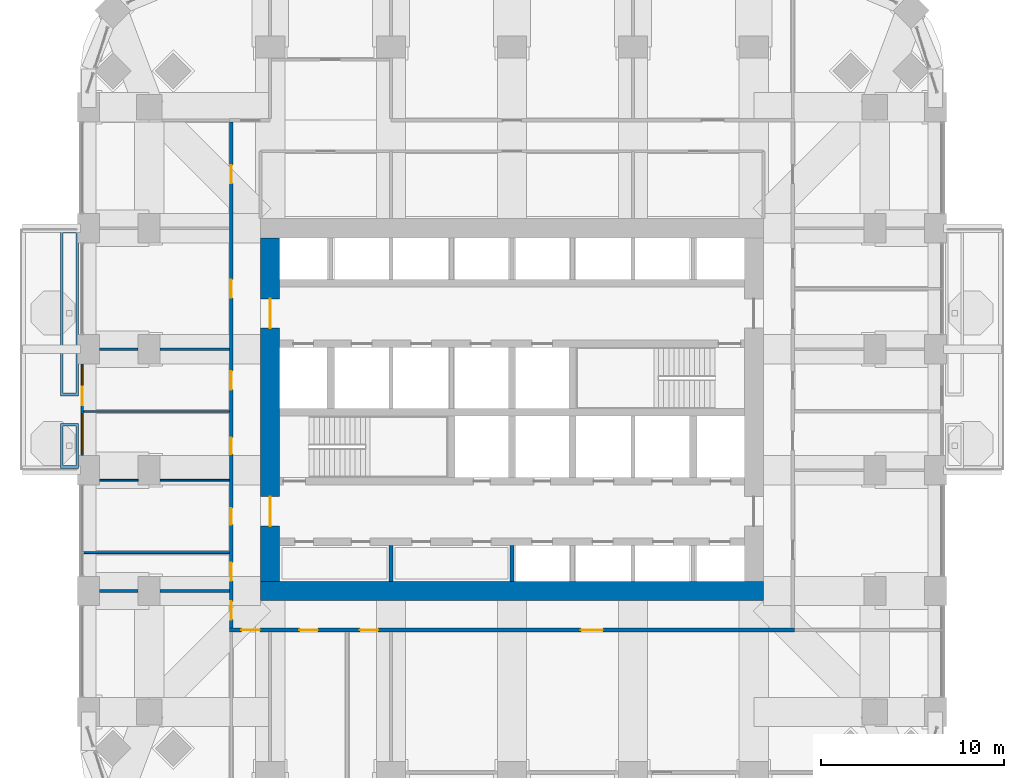
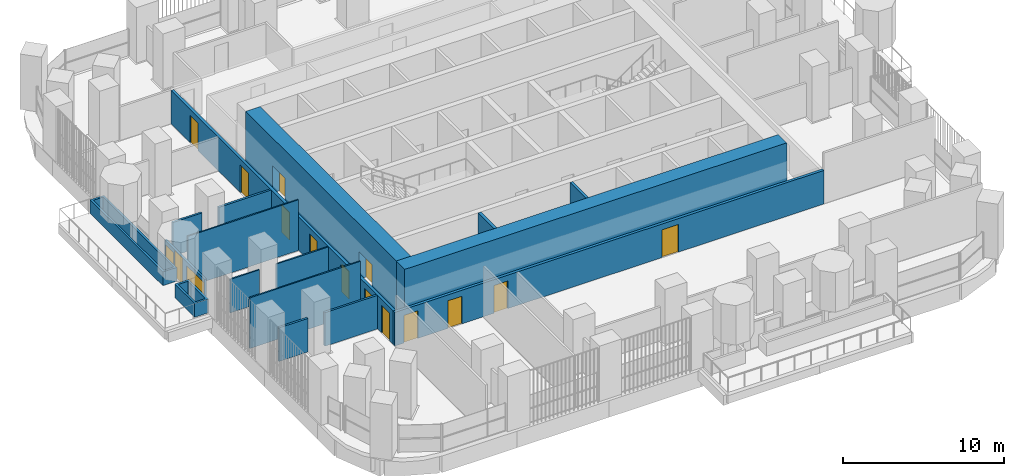
# One storey, part 14 of 22: 17 walls, 14 doors, 2 windows, 16 openings.
"""IFC4 building model written with IfcOpenShell, lengths in metres."""

from ifc_helpers import new_model, si_unit, direction, frame, frame_2d, origin, place, context, subcontext, project, spatial, polyline, rectangle, outline, extrude, material, layer, layer_set, type_object, element, fill, save


model = new_model("IFC4")

# Units and contexts
model_context = context("Model", 3, precision=1e-05, world=origin(), true_north=direction((0.0, 1.0)))
body_context = subcontext(model_context, "Body", "Model", "MODEL_VIEW")
ifc_project = project(units=[si_unit("LENGTHUNIT", "METRE"), si_unit("AREAUNIT", "SQUARE_METRE"), si_unit("VOLUMEUNIT", "CUBIC_METRE"), si_unit("PLANEANGLEUNIT", "RADIAN"), si_unit("MASSUNIT", "GRAM", prefix="KILO")], contexts=[model_context])

# Site, building, storey
site_placement = place(None, origin())
site = spatial("IfcSite", under=ifc_project, at=site_placement, CompositionType="ELEMENT")
building_placement = place(site_placement, origin())
building = spatial("IfcBuilding", under=site, at=building_placement, Name="Cobogo Forest Laboratory Tower", CompositionType="ELEMENT")
storey_placement = place(building_placement, frame((0.0, 0.0, 145.199951171875)))
storey = spatial("IfcBuildingStorey", under=building, at=storey_placement, Name="L33", CompositionType="ELEMENT", Elevation=145.199951171875)

# Wall
ifc_material_1 = material(Name="Concrete HA-50 (C50/60)", Category="concrete")
ifc_layer_1 = layer(ifc_material_1, 1.050048828125)
ifc_layer_set_1 = layer_set([ifc_layer_1], Name="CW1050 core outer wall 1050")
wall_type_1 = type_object("IfcWallType", Name="CW1050 core outer wall 1050", PredefinedType="SHEAR", material=ifc_layer_set_1)
wall_1_placement = place(storey_placement, frame((12.675048828125, 13.199951171875, 0.0), z_axis=(0.0, 0.0, 1.0), x_axis=(1.0, 0.0, 0.0)))
element("IfcWall", 1, at=wall_1_placement, inside=storey, type_object=wall_type_1, Name="Core wall CO-S L33", PredefinedType="SHEAR", context=body_context, shape_type="SweptSolid", body=[
    extrude(rectangle(XDim=27.449951171875, YDim=1.050048828125, at=frame_2d((13.72509765625, 0.0))), origin(), (0.0, 0.0, 1.0), 4.199951171875),
])

# Wall, openings, doors
wall_2_placement = place(storey_placement, frame((13.199951171875, 32.47509765625, 0.0), z_axis=(0.0, 0.0, 1.0), x_axis=(0.0, -1.0, 0.0)))
wall_2 = element("IfcWall", 2, at=wall_2_placement, inside=storey, type_object=wall_type_1, Name="Core wall CO-W L33", PredefinedType="SHEAR", context=body_context, shape_type="SweptSolid", body=[
    extrude(rectangle(XDim=18.75, YDim=1.050048828125, at=frame_2d((9.375, 0.0))), origin(), (0.0, 0.0, 1.0), 4.199951171875),
])
opening_1_placement = place(wall_2_placement, frame((14.125, 0.0, 0.0)))
opening_1 = element("IfcOpeningElement", 3, at=opening_1_placement, cuts=wall_2, Name="Opening L33-D15", PredefinedType="OPENING", context=body_context, shape_type="SweptSolid", body=[
    extrude(rectangle(XDim=1.60009765625, YDim=2.10009765625, at=frame_2d((0.800048828125, 1.050048828125))), frame((0.0, 0.534912109375, 0.0), z_axis=(0.0, -1.0, 0.0), x_axis=(1.0, 0.0, 0.0)), (0.0, 0.0, 1.0), 1.070068359375),
])
opening_2_placement = place(wall_2_placement, frame((3.324951171875, 0.0, 0.0)))
opening_2 = element("IfcOpeningElement", 4, at=opening_2_placement, cuts=wall_2, Name="Opening L33-D28", PredefinedType="OPENING", context=body_context, shape_type="SweptSolid", body=[
    extrude(rectangle(XDim=1.60009765625, YDim=2.10009765625, at=frame_2d((0.800048828125, 1.050048828125))), frame((0.0, 0.534912109375, 0.0), z_axis=(0.0, -1.0, 0.0), x_axis=(1.0, 0.0, 0.0)), (0.0, 0.0, 1.0), 1.070068359375),
])
ifc_material_2 = material(Name="Steel fire door", Category="steel")
door_type_1 = type_object("IfcDoorType", Name="DS2 protected lobby door pair 1600 EI2 60", OperationType="DOUBLE_DOOR_DOUBLE_SWING", PredefinedType="DOOR", material=ifc_material_2)
door_1_placement = place(opening_1_placement, origin())
door_1 = element("IfcDoor", 5, at=door_1_placement, inside=storey, type_object=door_type_1, Name="Door L33-CO-W-S", OperationType="DOUBLE_DOOR_DOUBLE_SWING", OverallHeight=2.10009765625, OverallWidth=1.60009765625, PredefinedType="DOOR", context=body_context, shape_type="SweptSolid", body=[
    extrude(rectangle(XDim=1.60009765625, YDim=2.10009765625, at=frame_2d((0.800048828125, 1.050048828125))), frame((0.0, 0.02490234375, 0.0), z_axis=(0.0, -1.0, 0.0), x_axis=(1.0, 0.0, 0.0)), (0.0, 0.0, 1.0), 0.050048828125),
])
fill(opening_1, door_1)
door_2_placement = place(opening_2_placement, origin())
door_2 = element("IfcDoor", 6, at=door_2_placement, inside=storey, type_object=door_type_1, Name="Door L33-CO-W-N", OperationType="DOUBLE_DOOR_DOUBLE_SWING", OverallHeight=2.10009765625, OverallWidth=1.60009765625, PredefinedType="DOOR", context=body_context, shape_type="SweptSolid", body=[
    extrude(rectangle(XDim=1.60009765625, YDim=2.10009765625, at=frame_2d((0.800048828125, 1.050048828125))), frame((0.0, 0.02490234375, 0.0), z_axis=(0.0, -1.0, 0.0), x_axis=(1.0, 0.0, 0.0)), (0.0, 0.0, 1.0), 0.050048828125),
])
fill(opening_2, door_2)

# Wall, openings, door, windows
ifc_material_3 = material(Name="Aluminium framed glazed screen", Category="aluminium")
ifc_layer_2 = layer(ifc_material_3, 0.14990234375)
ifc_layer_set_2 = layer_set([ifc_layer_2], Name="GS1 glazed door screen 150")
wall_type_2 = type_object("IfcWallType", Name="GS1 glazed door screen 150", PredefinedType="SOLIDWALL", material=ifc_layer_set_2)
wall_3_placement = place(storey_placement, frame((2.949951171875, 25.60009765625, 0.0), z_axis=(0.0, 0.0, 1.0), x_axis=(0.0, -1.0, 0.0)))
wall_3 = element("IfcWall", 7, at=wall_3_placement, inside=storey, type_object=wall_type_2, Name="Door screen BAL-W1 L33", PredefinedType="SOLIDWALL", context=body_context, shape_type="SweptSolid", body=[
    extrude(rectangle(XDim=5.0, YDim=0.14990234375, at=frame_2d((2.5, 0.0))), origin(), (0.0, 0.0, 1.0), 2.050048828125),
])
opening_3_placement = place(wall_3_placement, frame((1.25, 0.0, 0.0)))
opening_3 = element("IfcOpeningElement", 8, at=opening_3_placement, cuts=wall_3, Name="Opening L33-D22", PredefinedType="OPENING", context=body_context, shape_type="SweptSolid", body=[
    extrude(rectangle(XDim=1.0, YDim=2.0, at=frame_2d((0.5, 1.0))), frame((0.0, 0.0849609375, 0.0), z_axis=(0.0, -1.0, 0.0), x_axis=(1.0, 0.0, 0.0)), (0.0, 0.0, 1.0), 0.169921875),
])
opening_4_placement = place(wall_3_placement, frame((0.10009765625, 0.0, 0.10009765625)))
opening_4 = element("IfcOpeningElement", 9, at=opening_4_placement, cuts=wall_3, Name="Opening L33-W05", PredefinedType="OPENING", context=body_context, shape_type="SweptSolid", body=[
    extrude(rectangle(XDim=1.050048828125, YDim=1.64990234375, at=frame_2d((0.52490234375, 0.824951171875))), frame((0.0, 0.0849609375, 0.0), z_axis=(0.0, -1.0, 0.0), x_axis=(1.0, 0.0, 0.0)), (0.0, 0.0, 1.0), 0.169921875),
])
opening_5_placement = place(wall_3_placement, frame((2.75, 0.0, 0.10009765625)))
opening_5 = element("IfcOpeningElement", 10, at=opening_5_placement, cuts=wall_3, Name="Opening L33-W03", PredefinedType="OPENING", context=body_context, shape_type="SweptSolid", body=[
    extrude(rectangle(XDim=2.14990234375, YDim=1.64990234375, at=frame_2d((1.074951171875, 0.824951171875))), frame((0.0, 0.0849609375, 0.0), z_axis=(0.0, -1.0, 0.0), x_axis=(1.0, 0.0, 0.0)), (0.0, 0.0, 1.0), 0.169921875),
])
ifc_material_4 = material(Name="Aluminium glazed door", Category="aluminium")
door_type_2 = type_object("IfcDoorType", Name="DB2 balcony door 1000 glazed 2000 high", OperationType="SINGLE_SWING_LEFT", PredefinedType="DOOR", material=ifc_material_4)
door_3_placement = place(opening_3_placement, origin())
door_3 = element("IfcDoor", 11, at=door_3_placement, inside=storey, type_object=door_type_2, Name="Door L33-BAL-W1", OperationType="SINGLE_SWING_LEFT", OverallHeight=2.0, OverallWidth=1.0, PredefinedType="DOOR", context=body_context, shape_type="SweptSolid", body=[
    extrude(rectangle(XDim=1.0, YDim=2.0, at=frame_2d((0.5, 1.0))), frame((0.0, 0.02490234375, 0.0), z_axis=(0.0, -1.0, 0.0), x_axis=(1.0, 0.0, 0.0)), (0.0, 0.0, 1.0), 0.050048828125),
])
fill(opening_3, door_3)
ifc_material_5 = material(Name="Aluminium framed glazing", Category="aluminium")
window_type_1 = type_object("IfcWindowType", Name="WG19 fixed glazed light 2150x1650", PartitioningType="SINGLE_PANEL", PredefinedType="WINDOW", material=ifc_material_5)
window_1_placement = place(opening_5_placement, origin())
window_1 = element("IfcWindow", 12, at=window_1_placement, inside=storey, type_object=window_type_1, Name="Window L33-BAL-W1-2", OverallHeight=1.64990234375, OverallWidth=2.14990234375, PartitioningType="SINGLE_PANEL", PredefinedType="WINDOW", context=body_context, shape_type="SweptSolid", body=[
    extrude(rectangle(XDim=2.14990234375, YDim=1.64990234375, at=frame_2d((1.074951171875, 0.824951171875))), frame((0.0, 0.030029296875, 0.0), z_axis=(0.0, -1.0, 0.0), x_axis=(1.0, 0.0, 0.0)), (0.0, 0.0, 1.0), 0.06005859375),
])
fill(opening_5, window_1)
window_type_2 = type_object("IfcWindowType", Name="WG20 fixed glazed light 1050x1650", PartitioningType="SINGLE_PANEL", PredefinedType="WINDOW", material=ifc_material_5)
window_2_placement = place(opening_4_placement, origin())
window_2 = element("IfcWindow", 13, at=window_2_placement, inside=storey, type_object=window_type_2, Name="Window L33-BAL-W1-1", OverallHeight=1.64990234375, OverallWidth=1.050048828125, PartitioningType="SINGLE_PANEL", PredefinedType="WINDOW", context=body_context, shape_type="SweptSolid", body=[
    extrude(rectangle(XDim=1.050048828125, YDim=1.64990234375, at=frame_2d((0.52490234375, 0.824951171875))), frame((0.0, 0.030029296875, 0.0), z_axis=(0.0, -1.0, 0.0), x_axis=(1.0, 0.0, 0.0)), (0.0, 0.0, 1.0), 0.06005859375),
])
fill(opening_4, window_2)

# Walls
ifc_material_6 = material(Name="Gypsum board on steel studs", Category="steel")
ifc_layer_3 = layer(ifc_material_6, 0.14990234375)
ifc_layer_set_3 = layer_set([ifc_layer_3], Name="PT1 laboratory partition 150")
wall_type_3 = type_object("IfcWallType", Name="PT1 laboratory partition 150", PredefinedType="PARTITIONING", material=ifc_layer_set_3)
wall_4_placement = place(storey_placement, frame((3.89990234375, 13.199951171875, 0.0), z_axis=(0.0, 0.0, 1.0), x_axis=(1.0, 0.0, 0.0)))
element("IfcWall", 14, at=wall_4_placement, inside=storey, type_object=wall_type_3, Name="Partition CUT-W13.2-1 L33", PredefinedType="PARTITIONING", context=body_context, shape_type="SweptSolid", body=[
    extrude(rectangle(XDim=2.10009765625, YDim=0.14990234375, at=frame_2d((1.050048828125, 0.0))), origin(), (0.0, 0.0, 1.0), 2.550048828125),
])
wall_5_placement = place(storey_placement, frame((7.199951171875, 13.199951171875, 0.0), z_axis=(0.0, 0.0, 1.0), x_axis=(1.0, 0.0, 0.0)))
element("IfcWall", 15, at=wall_5_placement, inside=storey, type_object=wall_type_3, Name="Partition CUT-W13.2-2 L33", PredefinedType="PARTITIONING", context=body_context, shape_type="SweptSolid", body=[
    extrude(rectangle(XDim=3.775146484375, YDim=0.14990234375, at=frame_2d((1.8876953125, 0.0))), origin(), (0.0, 0.0, 1.0), 2.550048828125),
])
wall_6_placement = place(storey_placement, frame((3.89990234375, 26.39990234375, 0.0), z_axis=(0.0, 0.0, 1.0), x_axis=(1.0, 0.0, 0.0)))
element("IfcWall", 16, at=wall_6_placement, inside=storey, type_object=wall_type_3, Name="Partition CUT-W26.4-1 L33", PredefinedType="PARTITIONING", context=body_context, shape_type="SweptSolid", body=[
    extrude(rectangle(XDim=2.10009765625, YDim=0.14990234375, at=frame_2d((1.050048828125, 0.0))), origin(), (0.0, 0.0, 1.0), 2.550048828125),
])
wall_7_placement = place(storey_placement, frame((7.199951171875, 26.39990234375, 0.0), z_axis=(0.0, 0.0, 1.0), x_axis=(1.0, 0.0, 0.0)))
element("IfcWall", 17, at=wall_7_placement, inside=storey, type_object=wall_type_3, Name="Partition CUT-W26.4-2 L33", PredefinedType="PARTITIONING", context=body_context, shape_type="SweptSolid", body=[
    extrude(rectangle(XDim=3.775146484375, YDim=0.14990234375, at=frame_2d((1.8876953125, 0.0))), origin(), (0.0, 0.0, 1.0), 2.550048828125),
])

# Wall, openings, doors
ifc_layer_4 = layer(ifc_material_6, 0.199951171875)
ifc_layer_set_4 = layer_set([ifc_layer_4], Name="PT2 fire-rated corridor partition 200")
wall_type_4 = type_object("IfcWallType", Name="PT2 fire-rated corridor partition 200", PredefinedType="PARTITIONING", material=ifc_layer_set_4)
wall_8_placement = place(storey_placement, frame((10.97509765625, 11.074951171875, 0.0), z_axis=(0.0, 0.0, 1.0), x_axis=(1.0, 0.0, 0.0)))
wall_8 = element("IfcWall", 18, at=wall_8_placement, inside=storey, type_object=wall_type_4, Name="Partition CORR-S L33", PredefinedType="PARTITIONING", context=body_context, shape_type="SweptSolid", body=[
    extrude(rectangle(XDim=30.849853515625, YDim=0.199951171875, at=frame_2d((15.4248046875, 0.0))), origin(), (0.0, 0.0, 1.0), 2.550048828125),
])
opening_6_placement = place(wall_8_placement, frame((0.66259765625, 0.0, 0.0)))
opening_6 = element("IfcOpeningElement", 19, at=opening_6_placement, cuts=wall_8, Name="Opening L33-D03", PredefinedType="OPENING", context=body_context, shape_type="SweptSolid", body=[
    extrude(rectangle(XDim=1.0, YDim=2.10009765625, at=frame_2d((0.5, 1.050048828125))), frame((0.0, 0.10986328125, 0.0), z_axis=(0.0, -1.0, 0.0), x_axis=(1.0, 0.0, 0.0)), (0.0, 0.0, 1.0), 0.219970703125),
])
opening_7_placement = place(wall_8_placement, frame((3.824951171875, 0.0, 0.0)))
opening_7 = element("IfcOpeningElement", 20, at=opening_7_placement, cuts=wall_8, Name="Opening L33-D04", PredefinedType="OPENING", context=body_context, shape_type="SweptSolid", body=[
    extrude(rectangle(XDim=1.0, YDim=2.10009765625, at=frame_2d((0.5, 1.050048828125))), frame((0.0, 0.10986328125, 0.0), z_axis=(0.0, -1.0, 0.0), x_axis=(1.0, 0.0, 0.0)), (0.0, 0.0, 1.0), 0.219970703125),
])
opening_8_placement = place(wall_8_placement, frame((7.125, 0.0, 0.0)))
opening_8 = element("IfcOpeningElement", 21, at=opening_8_placement, cuts=wall_8, Name="Opening L33-D05", PredefinedType="OPENING", context=body_context, shape_type="SweptSolid", body=[
    extrude(rectangle(XDim=1.0, YDim=2.10009765625, at=frame_2d((0.5, 1.050048828125))), frame((0.0, 0.10986328125, 0.0), z_axis=(0.0, -1.0, 0.0), x_axis=(1.0, 0.0, 0.0)), (0.0, 0.0, 1.0), 0.219970703125),
])
opening_9_placement = place(wall_8_placement, frame((19.1875, 0.0, 0.0)))
opening_9 = element("IfcOpeningElement", 22, at=opening_9_placement, cuts=wall_8, Name="Opening L33-D06", PredefinedType="OPENING", context=body_context, shape_type="SweptSolid", body=[
    extrude(rectangle(XDim=1.199951171875, YDim=2.10009765625, at=frame_2d((0.60009765625, 1.050048828125))), frame((0.0, 0.10986328125, 0.0), z_axis=(0.0, -1.0, 0.0), x_axis=(1.0, 0.0, 0.0)), (0.0, 0.0, 1.0), 0.219970703125),
])
ifc_material_7 = material(Name="Timber door", Category="wood")
door_type_3 = type_object("IfcDoorType", Name="D2 laboratory door 1200 unequal pair", OperationType="DOUBLE_DOOR_SINGLE_SWING", PredefinedType="DOOR", material=ifc_material_7)
door_4_placement = place(opening_9_placement, origin())
door_4 = element("IfcDoor", 23, at=door_4_placement, inside=storey, type_object=door_type_3, Name="Door L33-S2", OperationType="DOUBLE_DOOR_SINGLE_SWING", OverallHeight=2.10009765625, OverallWidth=1.199951171875, PredefinedType="DOOR", context=body_context, shape_type="SweptSolid", body=[
    extrude(rectangle(XDim=1.199951171875, YDim=2.10009765625, at=frame_2d((0.60009765625, 1.050048828125))), frame((0.0, 0.02490234375, 0.0), z_axis=(0.0, -1.0, 0.0), x_axis=(1.0, 0.0, 0.0)), (0.0, 0.0, 1.0), 0.050048828125),
])
fill(opening_9, door_4)
ifc_material_8 = material(Name="Timber fire door", Category="wood")
door_type_4 = type_object("IfcDoorType", Name="FD2 fire door 1000 EI2 30", OperationType="SINGLE_SWING_LEFT", PredefinedType="DOOR", material=ifc_material_8)
door_5_placement = place(opening_6_placement, origin())
door_5 = element("IfcDoor", 24, at=door_5_placement, inside=storey, type_object=door_type_4, Name="Door L33-S1", OperationType="SINGLE_SWING_LEFT", OverallHeight=2.10009765625, OverallWidth=1.0, PredefinedType="DOOR", context=body_context, shape_type="SweptSolid", body=[
    extrude(rectangle(XDim=1.0, YDim=2.10009765625, at=frame_2d((0.5, 1.050048828125))), frame((0.0, 0.02490234375, 0.0), z_axis=(0.0, -1.0, 0.0), x_axis=(1.0, 0.0, 0.0)), (0.0, 0.0, 1.0), 0.050048828125),
])
fill(opening_6, door_5)
door_6_placement = place(opening_7_placement, origin())
door_6 = element("IfcDoor", 25, at=door_6_placement, inside=storey, type_object=door_type_4, Name="Door L33-MTG", OperationType="SINGLE_SWING_LEFT", OverallHeight=2.10009765625, OverallWidth=1.0, PredefinedType="DOOR", context=body_context, shape_type="SweptSolid", body=[
    extrude(rectangle(XDim=1.0, YDim=2.10009765625, at=frame_2d((0.5, 1.050048828125))), frame((0.0, 0.02490234375, 0.0), z_axis=(0.0, -1.0, 0.0), x_axis=(1.0, 0.0, 0.0)), (0.0, 0.0, 1.0), 0.050048828125),
])
fill(opening_7, door_6)
door_7_placement = place(opening_8_placement, origin())
door_7 = element("IfcDoor", 26, at=door_7_placement, inside=storey, type_object=door_type_4, Name="Door L33-PAN", OperationType="SINGLE_SWING_LEFT", OverallHeight=2.10009765625, OverallWidth=1.0, PredefinedType="DOOR", context=body_context, shape_type="SweptSolid", body=[
    extrude(rectangle(XDim=1.0, YDim=2.10009765625, at=frame_2d((0.5, 1.050048828125))), frame((0.0, 0.02490234375, 0.0), z_axis=(0.0, -1.0, 0.0), x_axis=(1.0, 0.0, 0.0)), (0.0, 0.0, 1.0), 0.050048828125),
])
fill(opening_8, door_7)

wall_9_placement = place(storey_placement, frame((11.074951171875, 11.175048828125, 0.0), z_axis=(0.0, 0.0, 1.0), x_axis=(0.0, 1.0, 0.0)))
wall_9 = element("IfcWall", 27, at=wall_9_placement, inside=storey, type_object=wall_type_4, Name="Partition CORR-W L33", PredefinedType="PARTITIONING", context=body_context, shape_type="SweptSolid", body=[
    extrude(rectangle(XDim=27.625, YDim=0.199951171875, at=frame_2d((13.8125, 0.0))), origin(), (0.0, 0.0, 1.0), 2.550048828125),
])
opening_10_placement = place(wall_9_placement, frame((0.46240234375, 0.0, 0.0)))
opening_10 = element("IfcOpeningElement", 28, at=opening_10_placement, cuts=wall_9, Name="Opening L33-D07", PredefinedType="OPENING", context=body_context, shape_type="SweptSolid", body=[
    extrude(rectangle(XDim=1.0, YDim=2.10009765625, at=frame_2d((0.5, 1.050048828125))), frame((0.0, 0.10986328125, 0.0), z_axis=(0.0, -1.0, 0.0), x_axis=(1.0, 0.0, 0.0)), (0.0, 0.0, 1.0), 0.219970703125),
])
opening_11_placement = place(wall_9_placement, frame((2.574951171875, 0.0, 0.0)))
opening_11 = element("IfcOpeningElement", 29, at=opening_11_placement, cuts=wall_9, Name="Opening L33-D08", PredefinedType="OPENING", context=body_context, shape_type="SweptSolid", body=[
    extrude(rectangle(XDim=1.0, YDim=2.10009765625, at=frame_2d((0.5, 1.050048828125))), frame((0.0, 0.10986328125, 0.0), z_axis=(0.0, -1.0, 0.0), x_axis=(1.0, 0.0, 0.0)), (0.0, 0.0, 1.0), 0.219970703125),
])
opening_12_placement = place(wall_9_placement, frame((5.64990234375, 0.0, 0.0)))
opening_12 = element("IfcOpeningElement", 30, at=opening_12_placement, cuts=wall_9, Name="Opening L33-D14", PredefinedType="OPENING", context=body_context, shape_type="SweptSolid", body=[
    extrude(rectangle(XDim=0.89990234375, YDim=2.10009765625, at=frame_2d((0.449951171875, 1.050048828125))), frame((0.0, 0.10986328125, 0.0), z_axis=(0.0, -1.0, 0.0), x_axis=(1.0, 0.0, 0.0)), (0.0, 0.0, 1.0), 0.219970703125),
])
opening_13_placement = place(wall_9_placement, frame((9.5, 0.0, 0.0)))
opening_13 = element("IfcOpeningElement", 31, at=opening_13_placement, cuts=wall_9, Name="Opening L33-D20", PredefinedType="OPENING", context=body_context, shape_type="SweptSolid", body=[
    extrude(rectangle(XDim=0.89990234375, YDim=2.10009765625, at=frame_2d((0.449951171875, 1.050048828125))), frame((0.0, 0.10986328125, 0.0), z_axis=(0.0, -1.0, 0.0), x_axis=(1.0, 0.0, 0.0)), (0.0, 0.0, 1.0), 0.219970703125),
])
opening_14_placement = place(wall_9_placement, frame((13.02490234375, 0.0, 0.0)))
opening_14 = element("IfcOpeningElement", 32, at=opening_14_placement, cuts=wall_9, Name="Opening L33-D24", PredefinedType="OPENING", context=body_context, shape_type="SweptSolid", body=[
    extrude(rectangle(XDim=1.0, YDim=2.10009765625, at=frame_2d((0.5, 1.050048828125))), frame((0.0, 0.10986328125, 0.0), z_axis=(0.0, -1.0, 0.0), x_axis=(1.0, 0.0, 0.0)), (0.0, 0.0, 1.0), 0.219970703125),
])
opening_15_placement = place(wall_9_placement, frame((18.02490234375, 0.0, 0.0)))
opening_15 = element("IfcOpeningElement", 33, at=opening_15_placement, cuts=wall_9, Name="Opening L33-D30", PredefinedType="OPENING", context=body_context, shape_type="SweptSolid", body=[
    extrude(rectangle(XDim=1.0, YDim=2.10009765625, at=frame_2d((0.5, 1.050048828125))), frame((0.0, 0.10986328125, 0.0), z_axis=(0.0, -1.0, 0.0), x_axis=(1.0, 0.0, 0.0)), (0.0, 0.0, 1.0), 0.219970703125),
])
opening_16_placement = place(wall_9_placement, frame((24.27490234375, 0.0, 0.0)))
opening_16 = element("IfcOpeningElement", 34, at=opening_16_placement, cuts=wall_9, Name="Opening L33-D32", PredefinedType="OPENING", context=body_context, shape_type="SweptSolid", body=[
    extrude(rectangle(XDim=1.0, YDim=2.10009765625, at=frame_2d((0.5, 1.050048828125))), frame((0.0, 0.10986328125, 0.0), z_axis=(0.0, -1.0, 0.0), x_axis=(1.0, 0.0, 0.0)), (0.0, 0.0, 1.0), 0.219970703125),
])
door_8_placement = place(opening_10_placement, origin())
door_8 = element("IfcDoor", 35, at=door_8_placement, inside=storey, type_object=door_type_4, Name="Door L33-W1", OperationType="SINGLE_SWING_LEFT", OverallHeight=2.10009765625, OverallWidth=1.0, PredefinedType="DOOR", context=body_context, shape_type="SweptSolid", body=[
    extrude(rectangle(XDim=1.0, YDim=2.10009765625, at=frame_2d((0.5, 1.050048828125))), frame((0.0, 0.02490234375, 0.0), z_axis=(0.0, -1.0, 0.0), x_axis=(1.0, 0.0, 0.0)), (0.0, 0.0, 1.0), 0.050048828125),
])
fill(opening_10, door_8)
door_9_placement = place(opening_14_placement, origin())
door_9 = element("IfcDoor", 36, at=door_9_placement, inside=storey, type_object=door_type_4, Name="Door L33-SHW", OperationType="SINGLE_SWING_LEFT", OverallHeight=2.10009765625, OverallWidth=1.0, PredefinedType="DOOR", context=body_context, shape_type="SweptSolid", body=[
    extrude(rectangle(XDim=1.0, YDim=2.10009765625, at=frame_2d((0.5, 1.050048828125))), frame((0.0, 0.02490234375, 0.0), z_axis=(0.0, -1.0, 0.0), x_axis=(1.0, 0.0, 0.0)), (0.0, 0.0, 1.0), 0.050048828125),
])
fill(opening_14, door_9)
door_10_placement = place(opening_15_placement, origin())
door_10 = element("IfcDoor", 37, at=door_10_placement, inside=storey, type_object=door_type_4, Name="Door L33-W3", OperationType="SINGLE_SWING_RIGHT", OverallHeight=2.10009765625, OverallWidth=1.0, PredefinedType="DOOR", context=body_context, shape_type="SweptSolid", body=[
    extrude(rectangle(XDim=1.0, YDim=2.10009765625, at=frame_2d((0.5, 1.050048828125))), frame((0.0, 0.02490234375, 0.0), z_axis=(0.0, -1.0, 0.0), x_axis=(1.0, 0.0, 0.0)), (0.0, 0.0, 1.0), 0.050048828125),
])
fill(opening_15, door_10)
door_11_placement = place(opening_16_placement, origin())
door_11 = element("IfcDoor", 38, at=door_11_placement, inside=storey, type_object=door_type_4, Name="Door L33-W4", OperationType="SINGLE_SWING_RIGHT", OverallHeight=2.10009765625, OverallWidth=1.0, PredefinedType="DOOR", context=body_context, shape_type="SweptSolid", body=[
    extrude(rectangle(XDim=1.0, YDim=2.10009765625, at=frame_2d((0.5, 1.050048828125))), frame((0.0, 0.02490234375, 0.0), z_axis=(0.0, -1.0, 0.0), x_axis=(1.0, 0.0, 0.0)), (0.0, 0.0, 1.0), 0.050048828125),
])
fill(opening_16, door_11)
door_type_5 = type_object("IfcDoorType", Name="FD3 toilet fire door 900 EI2 30", OperationType="SINGLE_SWING_LEFT", PredefinedType="DOOR", material=ifc_material_8)
door_12_placement = place(opening_12_placement, origin())
door_12 = element("IfcDoor", 39, at=door_12_placement, inside=storey, type_object=door_type_5, Name="Door L33-WCF", OperationType="SINGLE_SWING_LEFT", OverallHeight=2.10009765625, OverallWidth=0.89990234375, PredefinedType="DOOR", context=body_context, shape_type="SweptSolid", body=[
    extrude(rectangle(XDim=0.89990234375, YDim=2.10009765625, at=frame_2d((0.449951171875, 1.050048828125))), frame((0.0, 0.02490234375, 0.0), z_axis=(0.0, -1.0, 0.0), x_axis=(1.0, 0.0, 0.0)), (0.0, 0.0, 1.0), 0.050048828125),
])
fill(opening_12, door_12)
door_13_placement = place(opening_13_placement, origin())
door_13 = element("IfcDoor", 40, at=door_13_placement, inside=storey, type_object=door_type_5, Name="Door L33-WCM", OperationType="SINGLE_SWING_LEFT", OverallHeight=2.10009765625, OverallWidth=0.89990234375, PredefinedType="DOOR", context=body_context, shape_type="SweptSolid", body=[
    extrude(rectangle(XDim=0.89990234375, YDim=2.10009765625, at=frame_2d((0.449951171875, 1.050048828125))), frame((0.0, 0.02490234375, 0.0), z_axis=(0.0, -1.0, 0.0), x_axis=(1.0, 0.0, 0.0)), (0.0, 0.0, 1.0), 0.050048828125),
])
fill(opening_13, door_13)
door_type_6 = type_object("IfcDoorType", Name="FDA1 accessible toilet fire door 1000 EI2 30", OperationType="SINGLE_SWING_RIGHT", PredefinedType="DOOR", material=ifc_material_8)
door_14_placement = place(opening_11_placement, origin())
door_14 = element("IfcDoor", 41, at=door_14_placement, inside=storey, type_object=door_type_6, Name="Door L33-WCA", OperationType="SINGLE_SWING_LEFT", OverallHeight=2.10009765625, OverallWidth=1.0, PredefinedType="DOOR", context=body_context, shape_type="SweptSolid", body=[
    extrude(rectangle(XDim=1.0, YDim=2.10009765625, at=frame_2d((0.5, 1.050048828125))), frame((0.0, 0.02490234375, 0.0), z_axis=(0.0, -1.0, 0.0), x_axis=(1.0, 0.0, 0.0)), (0.0, 0.0, 1.0), 0.050048828125),
])
fill(opening_11, door_14)

# Walls
ifc_layer_5 = layer(ifc_material_6, 0.10009765625)
ifc_layer_set_5 = layer_set([ifc_layer_5], Name="PT3 toilet partition 100")
wall_type_5 = type_object("IfcWallType", Name="PT3 toilet partition 100", PredefinedType="PARTITIONING", material=ifc_layer_set_5)
wall_10_placement = place(storey_placement, frame((3.030029296875, 15.300048828125, 0.0), z_axis=(0.0, 0.0, 1.0), x_axis=(1.0, 0.0, 0.0)))
element("IfcWall", 42, at=wall_10_placement, inside=storey, type_object=wall_type_5, Name="Partition SVC-W1-1 L33", PredefinedType="PARTITIONING", context=body_context, shape_type="SweptSolid", body=[
    extrude(rectangle(XDim=7.945068359375, YDim=0.10009765625, at=frame_2d((3.97265625, 0.0))), origin(), (0.0, 0.0, 1.0), 3.85009765625),
])
wall_11_placement = place(storey_placement, frame((3.89990234375, 19.25, 0.0), z_axis=(0.0, 0.0, 1.0), x_axis=(1.0, 0.0, 0.0)))
element("IfcWall", 43, at=wall_11_placement, inside=storey, type_object=wall_type_5, Name="Partition SVC-W2-1 L33", PredefinedType="PARTITIONING", context=body_context, shape_type="SweptSolid", body=[
    extrude(rectangle(XDim=2.10009765625, YDim=0.10009765625, at=frame_2d((1.050048828125, 0.0))), origin(), (0.0, 0.0, 1.0), 2.550048828125),
])
wall_12_placement = place(storey_placement, frame((7.199951171875, 19.25, 0.0), z_axis=(0.0, 0.0, 1.0), x_axis=(1.0, 0.0, 0.0)))
element("IfcWall", 44, at=wall_12_placement, inside=storey, type_object=wall_type_5, Name="Partition SVC-W2-2 L33", PredefinedType="PARTITIONING", context=body_context, shape_type="SweptSolid", body=[
    extrude(rectangle(XDim=3.775146484375, YDim=0.10009765625, at=frame_2d((1.8876953125, 0.0))), origin(), (0.0, 0.0, 1.0), 2.550048828125),
])
wall_13_placement = place(storey_placement, frame((3.030029296875, 23.0, 0.0), z_axis=(0.0, 0.0, 1.0), x_axis=(1.0, 0.0, 0.0)))
element("IfcWall", 45, at=wall_13_placement, inside=storey, type_object=wall_type_5, Name="Partition SVC-W3-1 L33", PredefinedType="PARTITIONING", context=body_context, shape_type="SweptSolid", body=[
    extrude(rectangle(XDim=7.945068359375, YDim=0.10009765625, at=frame_2d((3.97265625, 0.0))), origin(), (0.0, 0.0, 1.0), 3.85009765625),
])
ifc_material_9 = material(Name="Concrete HA-40 (C40/50)", Category="concrete")
ifc_layer_6 = layer(ifc_material_9, 0.14990234375)
ifc_layer_set_6 = layer_set([ifc_layer_6], Name="Planter box 1000x1050")
wall_type_6 = type_object("IfcWallType", Name="Planter box 1000x1050", PredefinedType="USERDEFINED", material=ifc_layer_set_6)
wall_14_placement = place(storey_placement, origin())
element("IfcWall", 46, at=wall_14_placement, inside=storey, type_object=wall_type_6, Name="Planter BAL-W1-1 L33", ObjectType="PLANTER", PredefinedType="USERDEFINED", context=body_context, shape_type="SweptSolid", body=[
    extrude(outline(polyline([(1.75, 19.89990234375), (2.75, 19.89990234375), (2.75, 22.35009765625), (1.75, 22.35009765625), (1.75, 19.89990234375)]), holes=[polyline([(1.89990234375, 20.050048828125), (2.60009765625, 20.050048828125), (2.60009765625, 22.199951171875), (1.89990234375, 22.199951171875), (1.89990234375, 20.050048828125)])]), origin(), (0.0, 0.0, 1.0), 1.050048828125),
])
wall_15_placement = place(storey_placement, origin())
element("IfcWall", 47, at=wall_15_placement, inside=storey, type_object=wall_type_6, Name="Planter BAL-W1-2 L33", ObjectType="PLANTER", PredefinedType="USERDEFINED", context=body_context, shape_type="SweptSolid", body=[
    extrude(outline(polyline([(1.75, 23.85009765625), (2.75, 23.85009765625), (2.75, 32.89990234375), (1.75, 32.89990234375), (1.75, 23.85009765625)]), holes=[polyline([(1.89990234375, 24.0), (2.60009765625, 24.0), (2.60009765625, 32.75), (1.89990234375, 32.75), (1.89990234375, 24.0)])]), origin(), (0.0, 0.0, 1.0), 1.050048828125),
])
ifc_material_10 = material(Name="Concrete block", Category="concrete")
ifc_layer_7 = layer(ifc_material_10, 0.199951171875)
ifc_layer_set_7 = layer_set([ifc_layer_7], Name="SW200 lift shaft separator 200")
wall_type_7 = type_object("IfcWallType", Name="SW200 lift shaft separator 200", PredefinedType="PARTITIONING", material=ifc_layer_set_7)
for number, where, z_axis, x_axis, name in (
    (48, (19.800048828125, 13.72509765625, 0.0), (0.0, 0.0, 1.0), (0.0, 1.0, 0.0), "Core wall SEP-S2 L33"),
    (49, (26.39990234375, 13.72509765625, 0.0), (0.0, 0.0, 1.0), (0.0, 1.0, 0.0), "Core wall SEP-S4 L33"),
):
    element("IfcWall", number, at=place(storey_placement, frame(where, z_axis=z_axis, x_axis=x_axis)), inside=storey, type_object=wall_type_7, Name=name, PredefinedType="PARTITIONING", context=body_context, shape_type="SweptSolid", body=[
        extrude(rectangle(XDim=1.974853515625, YDim=0.199951171875, at=frame_2d((0.9873046875, 0.0))), origin(), (0.0, 0.0, 1.0), 4.199951171875),
    ])

save(model, "model.ifc")
